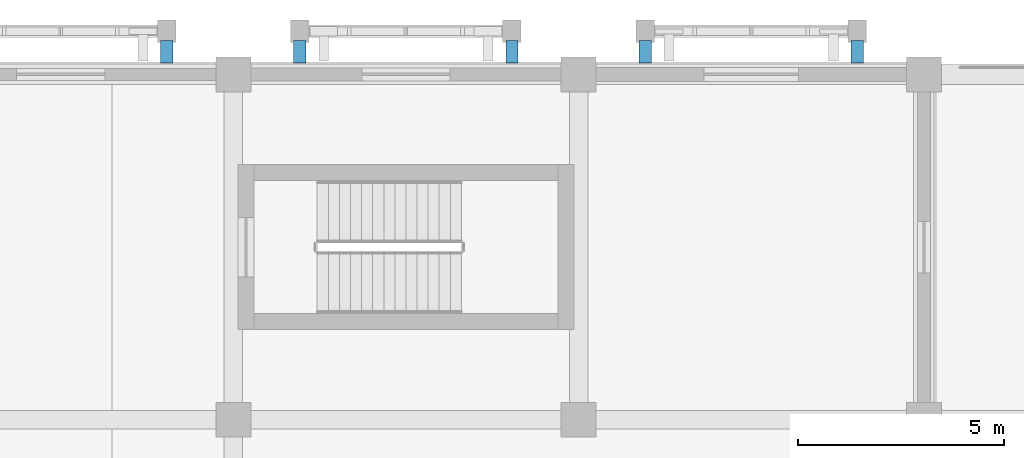
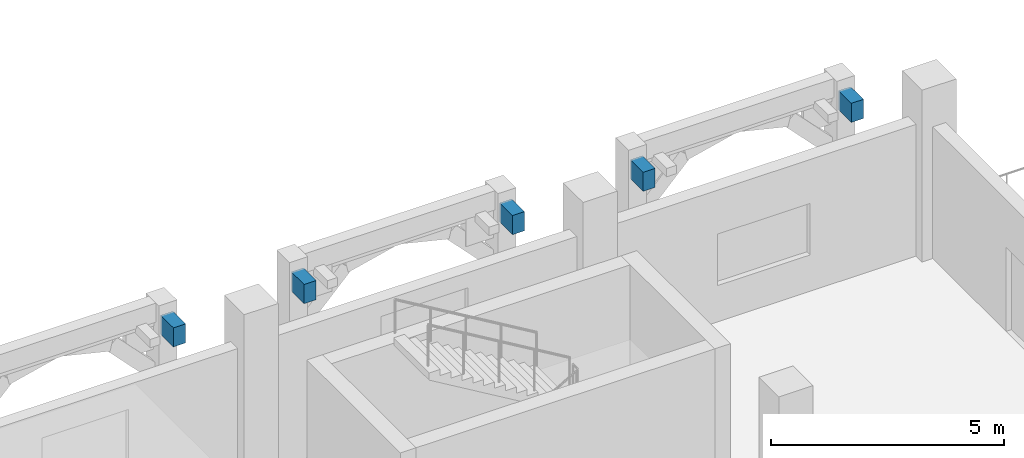
# One storey, part 82 of 129: 5 beams.
"""IFC4 building model written with IfcOpenShell, lengths in metres."""

from ifc_helpers import new_model, si_unit, direction, frame, origin, origin_2d, place, context, subcontext, project, spatial, rectangle, extrude, material, material_profile, profile_set, type_object, element, save


model = new_model("IFC4")

# Units and contexts
model_context = context("Model", 3, precision=1e-05, world=origin(), true_north=direction((0.0, 1.0)))
body_context = subcontext(model_context, "Body", "Model", "MODEL_VIEW")
ifc_project = project(units=[si_unit("LENGTHUNIT", "METRE"), si_unit("AREAUNIT", "SQUARE_METRE"), si_unit("VOLUMEUNIT", "CUBIC_METRE"), si_unit("PLANEANGLEUNIT", "RADIAN"), si_unit("MASSUNIT", "GRAM", prefix="KILO")], contexts=[model_context])

# Site, building, storey
site_placement = place(None, origin())
site = spatial("IfcSite", under=ifc_project, at=site_placement, CompositionType="ELEMENT")
building_placement = place(site_placement, origin())
building = spatial("IfcBuilding", under=site, at=building_placement, Name="Xazarin Passage Department Store", CompositionType="ELEMENT")
storey_placement = place(building_placement, frame((0.0, 0.0, 9.89990234375)))
storey = spatial("IfcBuildingStorey", under=building, at=storey_placement, Name="L02", CompositionType="ELEMENT", Elevation=9.89990234375)

# Beams
ifc_material = material(Name="Concrete C35/45", Category="concrete")
ifc_material_profile = material_profile(ifc_material, rectangle(XDim=0.300048828125, YDim=0.5, at=origin_2d()), Name="RC 300x500")
ifc_profile_set = profile_set([ifc_material_profile], Name="Concrete C35/45")
beam_type = type_object("IfcBeamType", Name="STR-BM-LN300x500", PredefinedType="LINTEL", material=ifc_profile_set)
for number, where, z_axis, x_axis, name in (
    (1, (125.97998046875, 110.280029296875, 3.9501953125), (0.0, 1.0, 0.0), (-1.0, 0.0, 0.0), "L02 V4 Colonnade Tie Rib 042R"),
    (2, (129.219970703125, 110.280029296875, 3.9501953125), (0.0, 1.0, 0.0), (-1.0, 0.0, 0.0), "L02 V4 Colonnade Tie Rib 043L"),
    (3, (134.3798828125, 110.280029296875, 3.9501953125), (0.0, 1.0, 0.0), (-1.0, 0.0, 0.0), "L02 V4 Colonnade Tie Rib 043R"),
    (4, (137.6201171875, 110.280029296875, 3.9501953125), (0.0, 1.0, 0.0), (-1.0, 0.0, 0.0), "L02 V4 Colonnade Tie Rib 044L"),
    (5, (142.780029296875, 110.280029296875, 3.9501953125), (0.0, 1.0, 0.0), (-1.0, 0.0, 0.0), "L02 V4 Colonnade Tie Rib 044R"),
):
    element("IfcBeam", number, at=place(storey_placement, frame(where, z_axis=z_axis, x_axis=x_axis)), inside=storey, type_object=beam_type, Name=name, PredefinedType="LINTEL", context=body_context, shape_type="SweptSolid", body=[
        extrude(rectangle(XDim=0.300048828125, YDim=0.5, at=origin_2d()), origin(), (0.0, 0.0, 1.0), 0.550048828125),
    ])

save(model, "model.ifc")
